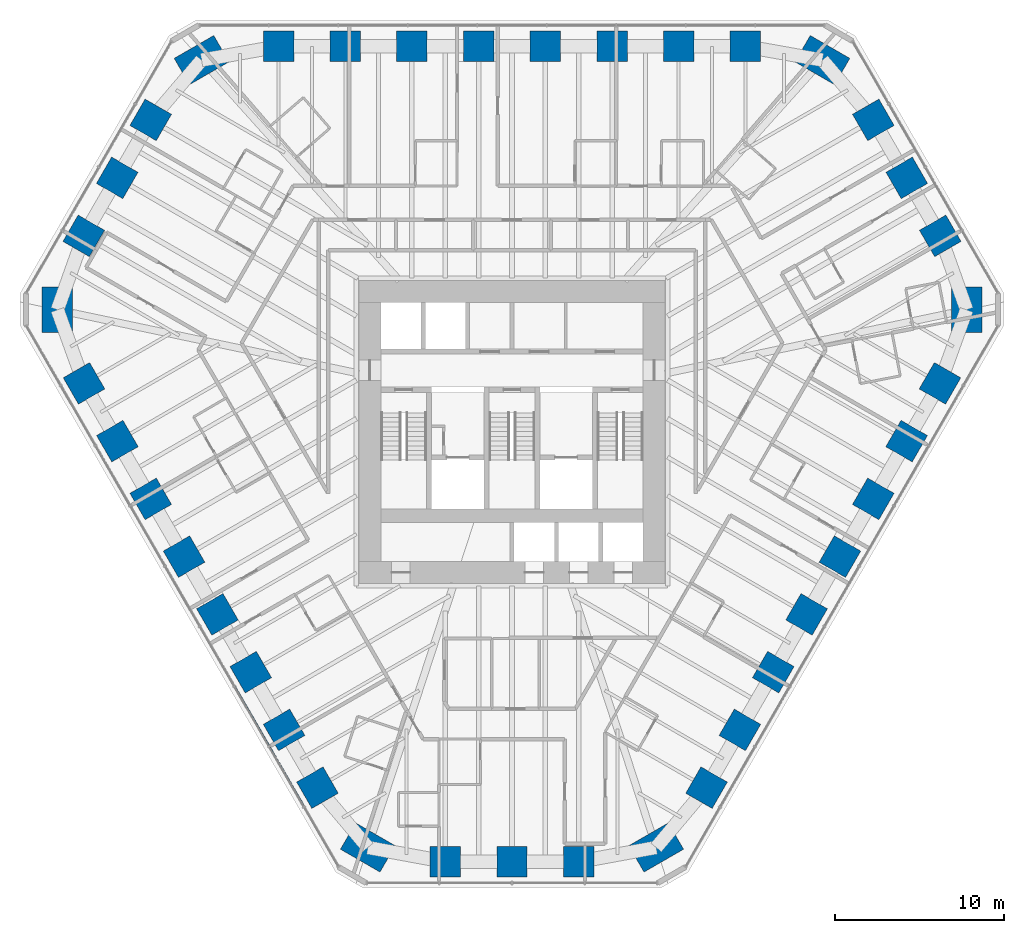
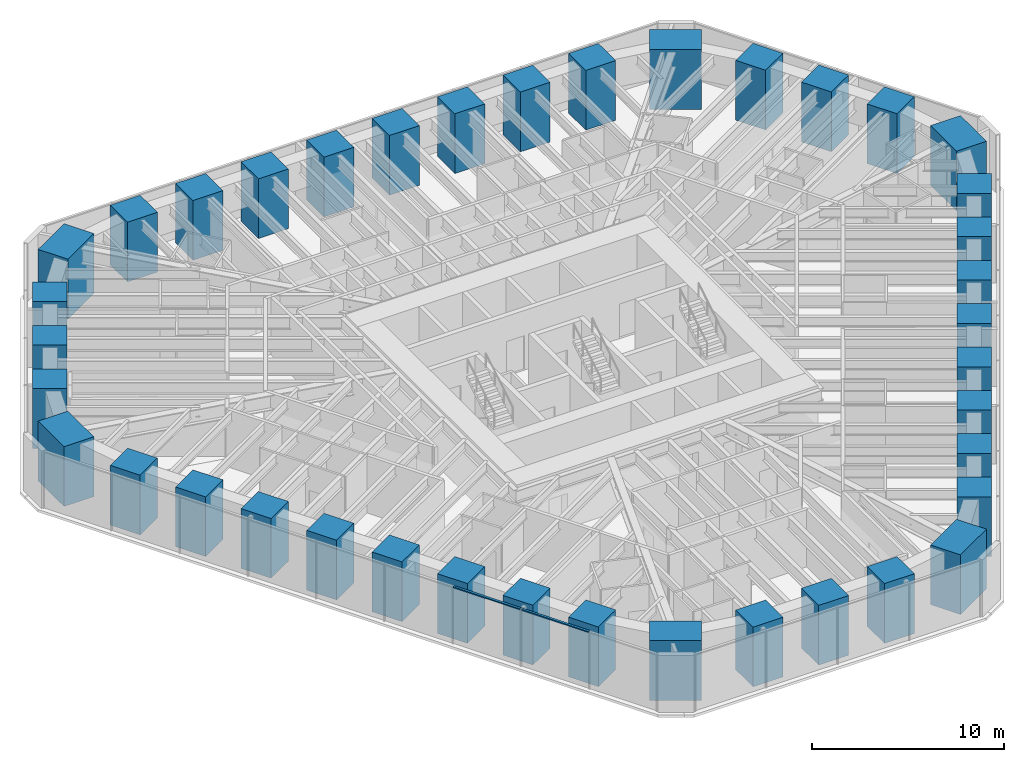
# One storey, part 1 of 17: 39 columns, 2 members, 1 element without a shape of its own.
"""IFC4 building model written with IfcOpenShell, lengths in metres."""

from ifc_helpers import new_model, si_unit, direction, frame, origin, origin_2d, place, context, subcontext, project, spatial, rectangle, extrude, material, material_profile, profile_set, type_object, element, aggregate, save


model = new_model("IFC4")

# Units and contexts
model_context = context("Model", 3, precision=1e-05, world=origin(), true_north=direction((0.0, 1.0)))
body_context = subcontext(model_context, "Body", "Model", "MODEL_VIEW")
ifc_project = project(units=[si_unit("LENGTHUNIT", "METRE"), si_unit("AREAUNIT", "SQUARE_METRE"), si_unit("VOLUMEUNIT", "CUBIC_METRE"), si_unit("PLANEANGLEUNIT", "RADIAN"), si_unit("MASSUNIT", "GRAM", prefix="KILO")], contexts=[model_context])

# Site, building, storey
site_placement = place(None, origin())
site = spatial("IfcSite", under=ifc_project, at=site_placement, CompositionType="ELEMENT")
building_placement = place(site_placement, origin())
building = spatial("IfcBuilding", under=site, at=building_placement, Name="Sandreach Pilgrim Tower", CompositionType="ELEMENT")
storey_placement = place(building_placement, frame((0.0, 0.0, 119.60009765625)))
storey = spatial("IfcBuildingStorey", under=building, at=storey_placement, Name="L29", CompositionType="ELEMENT", Elevation=119.60009765625)

# Columns
ifc_material_1 = material(Name="Concrete 10000 psi", Category="concrete")
ifc_material_profile_1 = material_profile(ifc_material_1, rectangle(XDim=1.800048828125, YDim=1.800048828125, at=origin_2d()), Name="RC1800X1800")
ifc_profile_set_1 = profile_set([ifc_material_profile_1], Name="Concrete 10000 psi")
column_type_1 = type_object("IfcColumnType", Name="Tube column RC1800X1800", PredefinedType="COLUMN", material=ifc_profile_set_1)
for number, where, z_axis, x_axis, name in (
    (1, (-13.789794921875, 21.23388671875, 0.0), (0.0, 0.0, 1.0), (0.0, 1.0, 0.0), "COL L29 T01"),
    (2, (-9.849853515625, 21.23388671875, 0.0), (0.0, 0.0, 1.0), (0.0, 1.0, 0.0), "COL L29 T02"),
    (3, (-5.909912109375, 21.23388671875, 0.0), (0.0, 0.0, 1.0), (0.0, 1.0, 0.0), "COL L29 T03"),
    (4, (-1.969970703125, 21.23388671875, 0.0), (0.0, 0.0, 1.0), (0.0, 1.0, 0.0), "COL L29 T04"),
    (5, (1.969970703125, 21.23388671875, 0.0), (0.0, 0.0, 1.0), (0.0, 1.0, 0.0), "COL L29 T05"),
    (6, (5.909912109375, 21.23388671875, 0.0), (0.0, 0.0, 1.0), (0.0, 1.0, 0.0), "COL L29 T06"),
    (7, (9.849853515625, 21.23388671875, 0.0), (0.0, 0.0, 1.0), (0.0, 1.0, 0.0), "COL L29 T07"),
    (8, (13.789794921875, 21.23388671875, 0.0), (0.0, 0.0, 1.0), (0.0, 1.0, 0.0), "COL L29 T08"),
    (9, (21.346435546875, 16.891357421875, 0.0), (0.0, 0.0, 1.0), (0.866025403784, 0.5, 0.0), "COL L29 T10"),
    (10, (23.323974609375, 13.466064453125, 0.0), (0.0, 0.0, 1.0), (0.866025403784, 0.5, 0.0), "COL L29 T11"),
    (11, (25.301513671875, 10.040771484375, 0.0), (0.0, 0.0, 1.0), (0.866025403784, 0.5, 0.0), "COL L29 T12"),
    (12, (25.283935546875, 1.325439453125, 0.0), (0.0, 0.0, 1.0), (0.866025403784, -0.5, 0.0), "COL L29 T14"),
    (13, (23.31396484375, -2.086669921875, 0.0), (0.0, 0.0, 1.0), (0.866025403784, -0.5, 0.0), "COL L29 T15"),
    (14, (21.343994140625, -5.498779296875, 0.0), (0.0, 0.0, 1.0), (0.866025403784, -0.5, 0.0), "COL L29 T16"),
    (15, (19.3740234375, -8.910888671875, 0.0), (0.0, 0.0, 1.0), (0.866025403784, -0.5, 0.0), "COL L29 T17"),
    (16, (17.404052734375, -12.322998046875, 0.0), (0.0, 0.0, 1.0), (0.866025403784, -0.5, 0.0), "COL L29 T18"),
    (17, (15.43408203125, -15.735107421875, 0.0), (0.0, 0.0, 1.0), (0.866025403784, -0.5, 0.0), "COL L29 T19"),
    (18, (13.464111328125, -19.147216796875, 0.0), (0.0, 0.0, 1.0), (0.866025403784, -0.5, 0.0), "COL L29 T20"),
    (19, (11.494140625, -22.559326171875, 0.0), (0.0, 0.0, 1.0), (0.866025403784, -0.5, 0.0), "COL L29 T21"),
    (20, (3.955322265625, -26.93212890625, 0.0), (0.0, 0.0, 1.0), (0.0, -1.0, 0.0), "COL L29 T23"),
    (21, (0.0, -26.93212890625, 0.0), (0.0, 0.0, 1.0), (0.0, -1.0, 0.0), "COL L29 T24"),
    (22, (-3.955322265625, -26.93212890625, 0.0), (0.0, 0.0, 1.0), (0.0, -1.0, 0.0), "COL L29 T25"),
    (23, (-11.494140625, -22.559326171875, 0.0), (0.0, 0.0, 1.0), (-0.866025403784, -0.5, 0.0), "COL L29 T27"),
    (24, (-13.464111328125, -19.147216796875, 0.0), (0.0, 0.0, 1.0), (-0.866025403784, -0.5, 0.0), "COL L29 T28"),
    (25, (-15.43408203125, -15.735107421875, 0.0), (0.0, 0.0, 1.0), (-0.866025403784, -0.5, 0.0), "COL L29 T29"),
    (26, (-17.404052734375, -12.322998046875, 0.0), (0.0, 0.0, 1.0), (-0.866025403784, -0.5, 0.0), "COL L29 T30"),
    (27, (-19.3740234375, -8.910888671875, 0.0), (0.0, 0.0, 1.0), (-0.866025403784, -0.5, 0.0), "COL L29 T31"),
    (28, (-21.343994140625, -5.498779296875, 0.0), (0.0, 0.0, 1.0), (-0.866025403784, -0.5, 0.0), "COL L29 T32"),
    (29, (-23.31396484375, -2.086669921875, 0.0), (0.0, 0.0, 1.0), (-0.866025403784, -0.5, 0.0), "COL L29 T33"),
    (30, (-25.283935546875, 1.325439453125, 0.0), (0.0, 0.0, 1.0), (-0.866025403784, -0.5, 0.0), "COL L29 T34"),
    (31, (-25.301513671875, 10.040771484375, 0.0), (0.0, 0.0, 1.0), (-0.866025403784, 0.5, 0.0), "COL L29 T36"),
    (32, (-23.323974609375, 13.466064453125, 0.0), (0.0, 0.0, 1.0), (-0.866025403784, 0.5, 0.0), "COL L29 T37"),
    (33, (-21.346435546875, 16.891357421875, 0.0), (0.0, 0.0, 1.0), (-0.866025403784, 0.5, 0.0), "COL L29 T38"),
):
    element("IfcColumn", number, at=place(storey_placement, frame(where, z_axis=z_axis, x_axis=x_axis)), inside=storey, type_object=column_type_1, Name=name, PredefinedType="COLUMN", context=body_context, shape_type="SweptSolid", body=[
        extrude(rectangle(XDim=1.800048828125, YDim=1.800048828125, at=origin_2d()), origin(), (0.0, 0.0, 1.0), 3.7998046875),
    ])
ifc_material_2 = material(Name="Concrete 10000 psi", Category="concrete")
ifc_material_profile_2 = material_profile(ifc_material_2, rectangle(XDim=1.800048828125, YDim=2.699951171875, at=origin_2d()), Name="RC1800X2700")
ifc_profile_set_2 = profile_set([ifc_material_profile_2], Name="Concrete 10000 psi")
column_type_2 = type_object("IfcColumnType", Name="Tube corner pier RC1800X2700", PredefinedType="COLUMN", material=ifc_profile_set_2)
for number, where, z_axis, x_axis, name in (
    (34, (18.33935546875, 20.423828125, 0.0), (0.0, 0.0, 1.0), (0.5, 0.866025403784, 0.0), "COL L29 T09"),
    (35, (26.857177734375, 5.67041015625, 0.0), (0.0, 0.0, 1.0), (1.0, 0.0, 0.0), "COL L29 T13"),
    (36, (8.517822265625, -26.09423828125, 0.0), (0.0, 0.0, 1.0), (0.5, -0.866025403784, 0.0), "COL L29 T22"),
    (37, (-8.517822265625, -26.09423828125, 0.0), (0.0, 0.0, 1.0), (-0.5, -0.866025403784, 0.0), "COL L29 T26"),
    (38, (-26.857177734375, 5.67041015625, 0.0), (0.0, 0.0, 1.0), (-1.0, 0.0, 0.0), "COL L29 T35"),
    (39, (-18.33935546875, 20.423828125, 0.0), (0.0, 0.0, 1.0), (-0.5, 0.866025403784, 0.0), "COL L29 T39"),
):
    element("IfcColumn", number, at=place(storey_placement, frame(where, z_axis=z_axis, x_axis=x_axis)), inside=storey, type_object=column_type_2, Name=name, PredefinedType="COLUMN", context=body_context, shape_type="SweptSolid", body=[
        extrude(rectangle(XDim=1.800048828125, YDim=2.699951171875, at=origin_2d()), origin(), (0.0, 0.0, 1.0), 3.7998046875),
    ])

# Curtain wall, members
ifc_material_3 = material(Name="Aluminium framed curtain wall", Category="aluminium")
curtain_wall_type = type_object("IfcCurtainWallType", Name="Hotel tower curtain wall", PredefinedType="NOTDEFINED", material=ifc_material_3)
curtain_wall_placement = place(storey_placement, origin())
curtain_wall = element("IfcCurtainWall", 40, at=curtain_wall_placement, inside=storey, type_object=curtain_wall_type, Name="CW-2 L29 SW", PredefinedType="NOTDEFINED")
ifc_material_4 = material(Name="Aluminium extrusion", Category="aluminium")
ifc_material_profile_3 = material_profile(ifc_material_4, rectangle(XDim=0.139892578125, YDim=0.070068359375, at=origin_2d()), Name="CW-2T 140X70")
ifc_profile_set_3 = profile_set([ifc_material_profile_3], Name="Aluminium extrusion")
member_type = type_object("IfcMemberType", Name="CW-2 transom", PredefinedType="USERDEFINED", material=ifc_profile_set_3)
member_1_placement = place(storey_placement, frame((-12.309326171875, -23.667236328125, 3.60498046875), z_axis=(-0.500023973715, 0.866011562111, 0.0), x_axis=(-0.866011562111, -0.500023973715, 0.0)))
member_1 = element("IfcMember", 41, at=member_1_placement, type_object=member_type, Name="CW-2 head transom 2", ObjectType="TRANSOM", PredefinedType="USERDEFINED", context=body_context, shape_type="SweptSolid", body=[
    extrude(rectangle(XDim=0.139892578125, YDim=0.070068359375, at=origin_2d()), origin(), (0.0, 0.0, 1.0), 4.041748046875),
])
member_2_placement = place(storey_placement, frame((-14.36279296875, -20.110595703125, 3.60498046875), z_axis=(-0.499997818338, 0.866026663364, 0.0), x_axis=(-0.866026663364, -0.499997818338, 0.0)))
member_2 = element("IfcMember", 42, at=member_2_placement, type_object=member_type, Name="CW-2 head transom 3", ObjectType="TRANSOM", PredefinedType="USERDEFINED", context=body_context, shape_type="SweptSolid", body=[
    extrude(rectangle(XDim=0.139892578125, YDim=0.070068359375, at=origin_2d()), origin(), (0.0, 0.0, 1.0), 4.0419921875),
])
aggregate(curtain_wall, [member_1, member_2])

save(model, "model.ifc")
